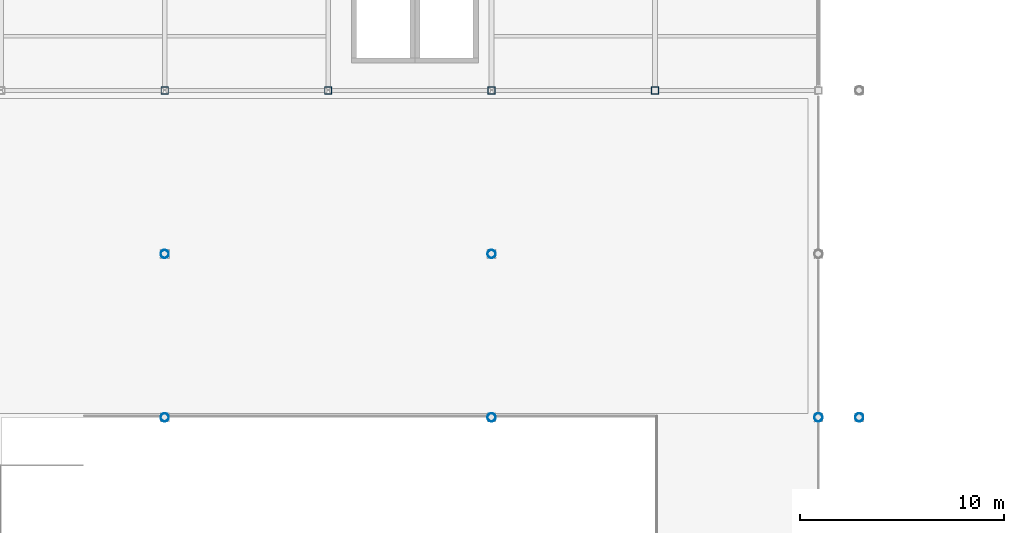
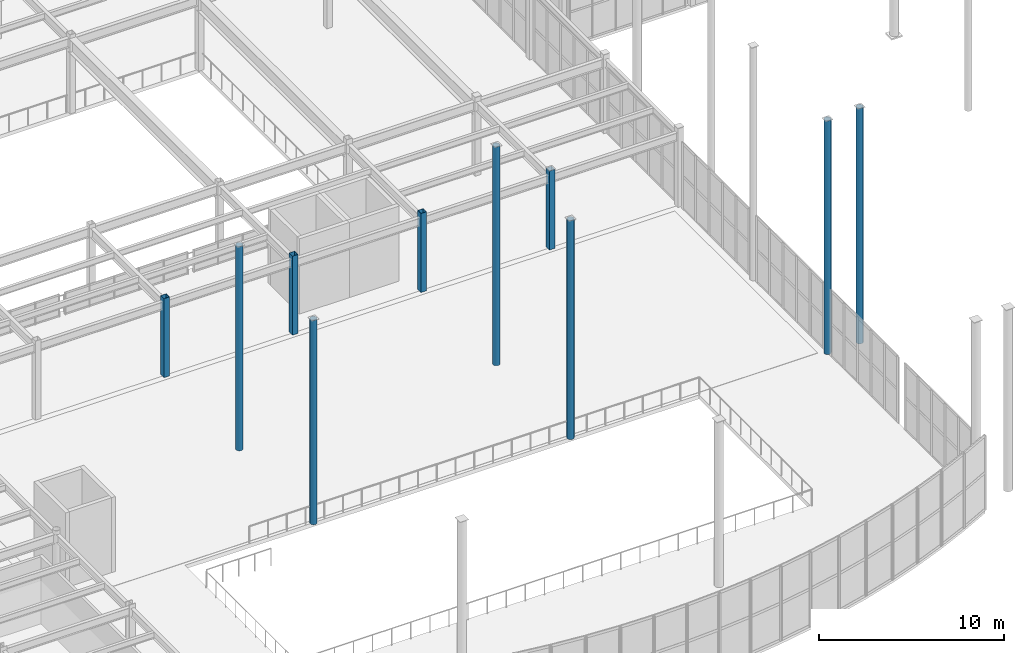
# One storey, part 6 of 77: 10 columns.
"""IFC4 building model written with IfcOpenShell, lengths in metres."""

from ifc_helpers import new_model, si_unit, direction, frame, origin, origin_2d, place, context, subcontext, project, spatial, hollow_rectangle, hollow_circle, extrude, material, material_profile, profile_set, type_object, element, save


model = new_model("IFC4")

# Units and contexts
model_context = context("Model", 3, precision=1e-05, world=origin(), true_north=direction((0.0, 1.0)))
body_context = subcontext(model_context, "Body", "Model", "MODEL_VIEW")
ifc_project = project(units=[si_unit("LENGTHUNIT", "METRE"), si_unit("AREAUNIT", "SQUARE_METRE"), si_unit("VOLUMEUNIT", "CUBIC_METRE"), si_unit("PLANEANGLEUNIT", "RADIAN"), si_unit("MASSUNIT", "GRAM", prefix="KILO")], contexts=[model_context])

# Site, building, storey
site_placement = place(None, origin())
site = spatial("IfcSite", under=ifc_project, at=site_placement, CompositionType="ELEMENT")
building_placement = place(site_placement, origin())
building = spatial("IfcBuilding", under=site, at=building_placement, Name="Drelvath Fold Interchange", CompositionType="ELEMENT")
storey_placement = place(building_placement, frame((0.0, 0.0, 6.0)))
storey = spatial("IfcBuildingStorey", under=building, at=storey_placement, Name="L01", CompositionType="ELEMENT", Elevation=6.0)

# Columns
ifc_material = material(Name="Steel ASTM A500 Grade C", Category="steel")
ifc_material_profile_1 = material_profile(ifc_material, hollow_circle(Radius=0.202880859375, WallThickness=0.014892578125, at=origin_2d()), Name="HSS16.000X0.625")
ifc_profile_set_1 = profile_set([ifc_material_profile_1], Name="Steel ASTM A500 Grade C")
column_type_1 = type_object("IfcColumnType", Name="COL-CHS406", PredefinedType="COLUMN", material=ifc_profile_set_1)
for number, where, z_axis, x_axis, name in (
    (1, (68.0, 43.0, 0.0), (0.0, 0.0, 1.0), (1.0, 0.0, 0.0), "L01 column (68,43)"),
    (2, (68.0, 51.0, 0.0), (0.0, 0.0, 1.0), (1.0, 0.0, 0.0), "L01 column (68,51)"),
):
    element("IfcColumn", number, at=place(storey_placement, frame(where, z_axis=z_axis, x_axis=x_axis)), inside=storey, type_object=column_type_1, Name=name, PredefinedType="COLUMN", context=body_context, shape_type="SweptSolid", body=[
        extrude(hollow_circle(Radius=0.202880859375, WallThickness=0.014892578125, at=origin_2d()), origin(), (0.0, 0.0, 1.0), 13.451904296875),
    ])
for number, where, z_axis, x_axis, name in (
    (3, (84.0, 43.0, 0.0), (0.0, 0.0, 1.0), (1.0, 0.0, 0.0), "L01 column (84,43)"),
    (4, (84.0, 51.0, 0.0), (0.0, 0.0, 1.0), (1.0, 0.0, 0.0), "L01 column (84,51)"),
):
    element("IfcColumn", number, at=place(storey_placement, frame(where, z_axis=z_axis, x_axis=x_axis)), inside=storey, type_object=column_type_1, Name=name, PredefinedType="COLUMN", context=body_context, shape_type="SweptSolid", body=[
        extrude(hollow_circle(Radius=0.202880859375, WallThickness=0.014892578125, at=origin_2d()), origin(), (0.0, 0.0, 1.0), 14.4140625),
    ])
column_1_placement = place(storey_placement, frame((100.0, 43.0, 0.0), z_axis=(0.0, 0.0, 1.0), x_axis=(1.0, 0.0, 0.0)))
element("IfcColumn", 5, at=column_1_placement, inside=storey, type_object=column_type_1, Name="L01 column (100,43)", PredefinedType="COLUMN", context=body_context, shape_type="SweptSolid", body=[
    extrude(hollow_circle(Radius=0.202880859375, WallThickness=0.014892578125, at=origin_2d()), origin(), (0.0, 0.0, 1.0), 15.376953125),
])
column_2_placement = place(storey_placement, frame((102.0, 43.0, 0.0), z_axis=(0.0, 0.0, 1.0), x_axis=(1.0, 0.0, 0.0)))
element("IfcColumn", 6, at=column_2_placement, inside=storey, type_object=column_type_1, Name="L01 column (102,43)", PredefinedType="COLUMN", context=body_context, shape_type="SweptSolid", body=[
    extrude(hollow_circle(Radius=0.202880859375, WallThickness=0.014892578125, at=origin_2d()), origin(), (0.0, 0.0, 1.0), 15.4970703125),
])
ifc_material_profile_2 = material_profile(ifc_material, hollow_rectangle(XDim=0.35595703125, YDim=0.35595703125, WallThickness=0.014892578125, at=origin_2d()), Name="HSS14X14X5/8")
ifc_profile_set_2 = profile_set([ifc_material_profile_2], Name="Steel ASTM A500 Grade C")
column_type_2 = type_object("IfcColumnType", Name="COL-HSS356", PredefinedType="COLUMN", material=ifc_profile_set_2)
for number, where, z_axis, x_axis, name in (
    (7, (68.0, 59.0, 0.0), (0.0, 0.0, 1.0), (1.0, 0.0, 0.0), "L01 column (68,59)"),
    (8, (76.0, 59.0, 0.0), (0.0, 0.0, 1.0), (1.0, 0.0, 0.0), "L01 column (76,59)"),
    (9, (84.0, 59.0, 0.0), (0.0, 0.0, 1.0), (1.0, 0.0, 0.0), "L01 column (84,59)"),
    (10, (92.0, 59.0, 0.0), (0.0, 0.0, 1.0), (1.0, 0.0, 0.0), "L01 column (92,59)"),
):
    element("IfcColumn", number, at=place(storey_placement, frame(where, z_axis=z_axis, x_axis=x_axis)), inside=storey, type_object=column_type_2, Name=name, PredefinedType="COLUMN", context=body_context, shape_type="SweptSolid", body=[
        extrude(hollow_rectangle(XDim=0.35595703125, YDim=0.35595703125, WallThickness=0.014892578125, at=origin_2d()), origin(), (0.0, 0.0, 1.0), 5.199951171875),
    ])

save(model, "model.ifc")
